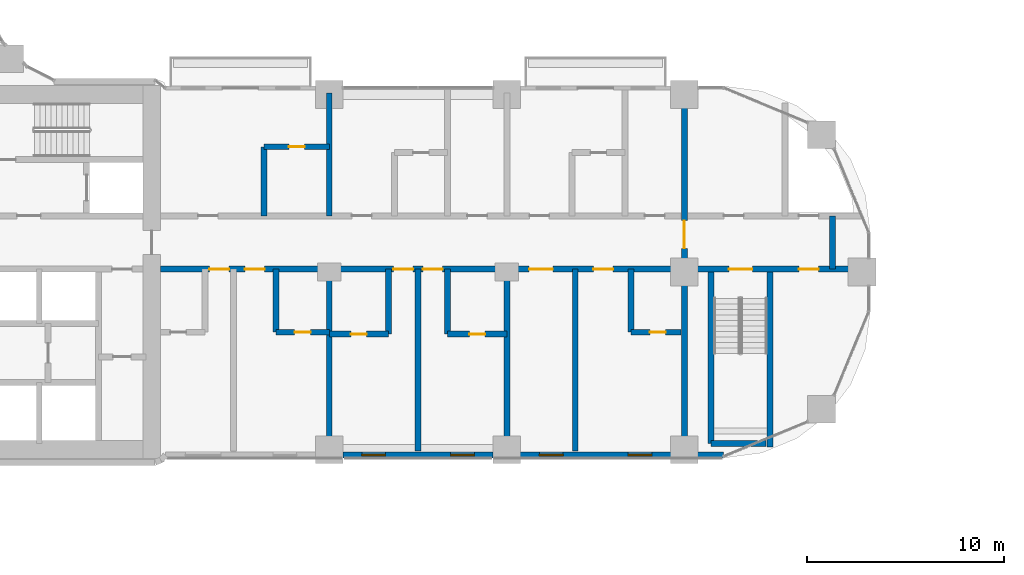
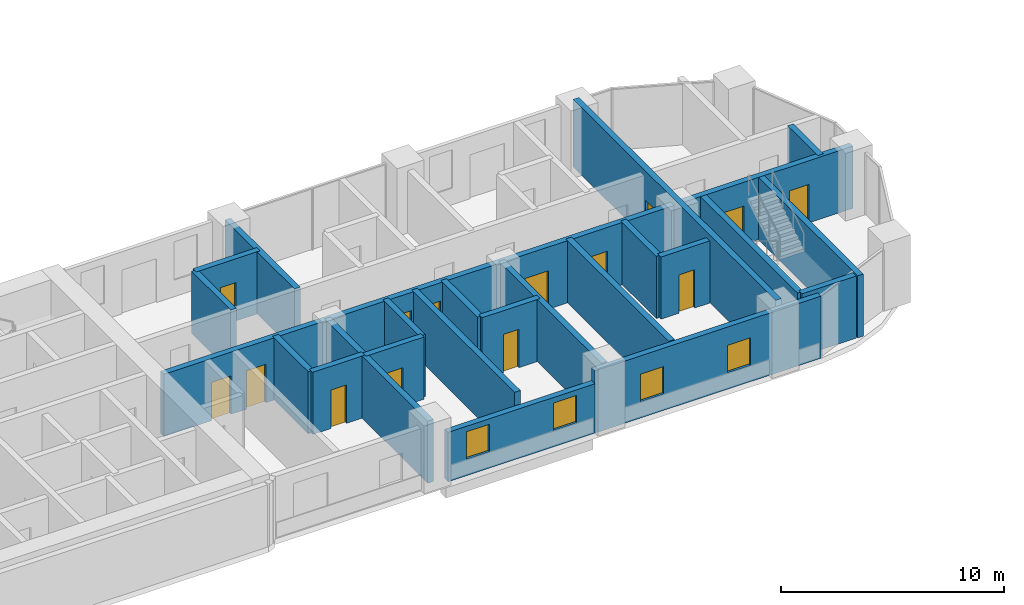
# One storey, part 16 of 30: 24 walls, 14 doors, 4 windows, 18 openings.
"""IFC4 building model written with IfcOpenShell, lengths in metres."""

import ifcopenshell
import ifcopenshell.guid

model = None  # the IFC model being written
_history = None  # IfcOwnerHistory: only IFC2X3 demands one
_inside = {}  # id of a spatial element -> (the spatial element, [elements in it])
_under = {}  # id of a project, library or spatial element -> (it, [spatial elements below it])
_declared = {}  # id of a project -> (the project, [libraries it declares])
_typed = {}  # id of a type object -> (the type object, [elements of that type])
_made_of = {}  # id of a material, layer set ... -> (it, [elements and type objects made of it])


def new_model(schema):
    """Start an empty IFC model of exactly this schema.

    Asked for "IFC4X3", IfcOpenShell would pick the latest addendum, in which some entities
    have other attributes; the version numbers below select the first issue.
    IFC2X3 requires an IfcOwnerHistory on every rooted entity: one is made here for all.
    """
    global model, _history
    if schema == "IFC4X3":
        model = ifcopenshell.file(schema_version=(4, 3, 0, 0))
    else:
        model = ifcopenshell.file(schema=schema)
    _inside.clear()
    _under.clear()
    _declared.clear()
    _typed.clear()
    _made_of.clear()
    _history = None
    if model.schema == "IFC2X3":
        org = make("IfcOrganization", Name="unknown")
        user = make(
            "IfcPersonAndOrganization",
            ThePerson=make("IfcPerson", FamilyName="unknown"),
            TheOrganization=org,
        )
        app = make(
            "IfcApplication",
            ApplicationDeveloper=org,
            Version="unknown",
            ApplicationFullName="unknown",
            ApplicationIdentifier="unknown",
        )
        _history = make(
            "IfcOwnerHistory",
            OwningUser=user,
            OwningApplication=app,
            ChangeAction="ADDED",
            CreationDate=0,
        )
    return model


def make(cls, **values):
    """One entity of the class cls with the attributes given. An attribute that is None is left unset."""
    return model.create_entity(
        cls, **{name: value for name, value in values.items() if value is not None}
    )


def rooted(cls, **values):
    """An entity with a GlobalId (a new one), such as an element, a storey or a relation."""
    return make(cls, GlobalId=ifcopenshell.guid.new(), OwnerHistory=_history, **values)


def si_unit(unit_type, name, prefix=None):
    """IfcSIUnit, for example si_unit("LENGTHUNIT", "METRE", prefix="MILLI")."""
    return make("IfcSIUnit", UnitType=unit_type, Prefix=prefix, Name=name)


def assignment(units):
    """IfcUnitAssignment: the units of a project."""
    return None if units is None else make("IfcUnitAssignment", Units=units)


def point(xyz):
    """IfcCartesianPoint."""
    return None if xyz is None else make("IfcCartesianPoint", Coordinates=xyz)


def direction(xyz):
    """IfcDirection."""
    return None if xyz is None else make("IfcDirection", DirectionRatios=xyz)


def frame(location, z_axis=None, x_axis=None):
    """IfcAxis2Placement3D, a coordinate frame: its origin and axes. An axis left out is left unset."""
    return make(
        "IfcAxis2Placement3D",
        Location=point(location),
        Axis=direction(z_axis),
        RefDirection=direction(x_axis),
    )


def frame_2d(location, x_axis=None):
    """IfcAxis2Placement2D, a coordinate frame in the plane: its origin and x axis."""
    return make(
        "IfcAxis2Placement2D", Location=point(location), RefDirection=direction(x_axis)
    )


def origin():
    """The frame at (0, 0, 0) with its axes left unset."""
    return frame((0.0, 0.0, 0.0))


def place(relative_to, where):
    """IfcLocalPlacement: puts the frame where relative to a parent placement (None: the world)."""
    return make(
        "IfcLocalPlacement", PlacementRelTo=relative_to, RelativePlacement=where
    )


def context(
    kind, dimensions, precision=None, world=None, true_north=None, identifier=None
):
    """IfcGeometricRepresentationContext, for example the 3D "Model" context."""
    return make(
        "IfcGeometricRepresentationContext",
        ContextIdentifier=identifier,
        ContextType=kind,
        CoordinateSpaceDimension=dimensions,
        Precision=precision,
        WorldCoordinateSystem=world,
        TrueNorth=true_north,
    )


def subcontext(parent, identifier, kind, view, scale=None):
    """IfcGeometricRepresentationSubContext, for example "Body" below "Model"."""
    return make(
        "IfcGeometricRepresentationSubContext",
        ContextIdentifier=identifier,
        ContextType=kind,
        ParentContext=parent,
        TargetScale=scale,
        TargetView=view,
    )


def project(units=None, contexts=None):
    """IfcProject with its units and contexts."""
    return rooted(
        "IfcProject",
        Name="project",
        RepresentationContexts=contexts,
        UnitsInContext=assignment(units),
    )


def spatial(cls, under=None, at=None, **own):
    """A site, building, storey or space (cls), placed at a placement, below another one or the project."""
    s = rooted(cls, ObjectPlacement=at, **own)
    if under is not None:
        _under.setdefault(under.id(), (under, []))[1].append(s)
    return s


def profile(cls, at=None, kind="AREA", **sizes):
    """A parametric profile (cls). Its sizes go by their IFC names, for example OverallWidth=200.0."""
    return make(cls, ProfileType=kind, Position=at, **sizes)


def rectangle(**sizes):
    """IfcRectangleProfileDef."""
    return profile("IfcRectangleProfileDef", **sizes)


def extrude(swept, where, along, depth):
    """IfcExtrudedAreaSolid: the profile swept, set in the frame where, extruded along a direction by depth."""
    return make(
        "IfcExtrudedAreaSolid",
        SweptArea=swept,
        Position=where,
        ExtrudedDirection=direction(along),
        Depth=depth,
    )


def shape(context_of_items, identifier, shape_type, items):
    """IfcShapeRepresentation: the items that make up one representation, for example the "Body"."""
    return make(
        "IfcShapeRepresentation",
        ContextOfItems=context_of_items,
        RepresentationIdentifier=identifier,
        RepresentationType=shape_type,
        Items=items,
    )


def material(Name=None, Category=None):
    """IfcMaterial."""
    return make("IfcMaterial", Name=Name, Category=Category)


def layer(
    of_material, thickness, ventilated=None, Name=None, Category=None, Priority=None
):
    """IfcMaterialLayer: one layer of a wall or slab, of a material (None: an air gap)."""
    return make(
        "IfcMaterialLayer",
        Material=of_material,
        LayerThickness=thickness,
        IsVentilated=ventilated,
        Name=Name,
        Category=Category,
        Priority=Priority,
    )


def layer_set(layers, Name=None):
    """IfcMaterialLayerSet."""
    return make("IfcMaterialLayerSet", MaterialLayers=layers, LayerSetName=Name)


def made_of(thing, what):
    """Note that an element or type object is made of a material, layer set ...; save() writes the relation."""
    if what is not None:
        _made_of.setdefault(what.id(), (what, []))[1].append(thing)
    return thing


def type_object(cls, material=None, **own):
    """A type object (cls), such as IfcWallType, which elements share."""
    return made_of(rooted(cls, **own), material)


def element(
    cls,
    number,
    at=None,
    inside=None,
    cuts=None,
    type_object=None,
    material=None,
    context=None,
    identifier="Body",
    shape_type=None,
    held_by="IfcProductDefinitionShape",
    body=None,
    shapes=None,
    **own,
):
    """One element of the class cls, such as IfcWall. Its Tag is "e" and its number.

    at: its placement. inside: the storey or other place that contains it. cuts: it is an
    opening in that element (IfcRelVoidsElement). A single representation is given by context,
    identifier, shape_type and body (its items); several are given by shapes. held_by: the class
    of the entity that holds the representations. save() writes the other relations.
    """
    e = rooted(cls, Tag="e%d" % number, ObjectPlacement=at, **own)
    if body is not None:
        shapes = [shape(context, identifier, shape_type, body)]
    if shapes is not None:
        e.Representation = make(held_by, Representations=shapes)
    if inside is not None:
        _inside.setdefault(inside.id(), (inside, []))[1].append(e)
    if cuts is not None:
        rooted(
            "IfcRelVoidsElement", RelatingBuildingElement=cuts, RelatedOpeningElement=e
        )
    if type_object is not None:
        _typed.setdefault(type_object.id(), (type_object, []))[1].append(e)
    return made_of(e, material)


def fill(opening, filler):
    """IfcRelFillsElement: the door or window that sits in an opening."""
    return rooted(
        "IfcRelFillsElement",
        RelatingOpeningElement=opening,
        RelatedBuildingElement=filler,
    )


def aggregate(whole, parts):
    """IfcRelAggregates: a whole, such as a stair, and the parts it consists of."""
    return rooted("IfcRelAggregates", RelatingObject=whole, RelatedObjects=parts)


def save(model, path):
    """Write the relations noted so far, then the file.

    IfcRelAggregates (storeys below a building ...), IfcRelContainedInSpatialStructure (elements
    in a storey), IfcRelDefinesByType, IfcRelAssociatesMaterial and IfcRelDeclares: one each for
    every whole, place, type object, material and project.
    """
    for whole, parts in _under.values():
        aggregate(whole, parts)
    for where, things in _inside.values():
        rooted(
            "IfcRelContainedInSpatialStructure",
            RelatedElements=things,
            RelatingStructure=where,
        )
    for kind, things in _typed.values():
        rooted("IfcRelDefinesByType", RelatedObjects=things, RelatingType=kind)
    for what, things in _made_of.values():
        rooted("IfcRelAssociatesMaterial", RelatedObjects=things, RelatingMaterial=what)
    for by, libraries in _declared.values():
        rooted("IfcRelDeclares", RelatingContext=by, RelatedDefinitions=libraries)
    model.write(path)


model = new_model("IFC4")

# Units and contexts
model_context = context("Model", 3, precision=1e-05, world=origin(), true_north=direction((0.0, 1.0)))
body_context = subcontext(model_context, "Body", "Model", "MODEL_VIEW")
ifc_project = project(units=[si_unit("LENGTHUNIT", "METRE"), si_unit("AREAUNIT", "SQUARE_METRE"), si_unit("VOLUMEUNIT", "CUBIC_METRE"), si_unit("PLANEANGLEUNIT", "RADIAN"), si_unit("MASSUNIT", "GRAM", prefix="KILO")], contexts=[model_context])

# Site, building, storey
site_placement = place(None, origin())
site = spatial("IfcSite", under=ifc_project, at=site_placement, CompositionType="ELEMENT")
building_placement = place(site_placement, origin())
building = spatial("IfcBuilding", under=site, at=building_placement, Name="Ogive Portal Towers", CompositionType="ELEMENT")
storey_placement = place(building_placement, frame((0.0, 0.0, 37.199951171875)))
storey = spatial("IfcBuildingStorey", under=building, at=storey_placement, Name="L07", CompositionType="ELEMENT", Elevation=37.199951171875)

# Wall, openings, windows
ifc_material_1 = material(Name="Limestone cladding on lightweight block wall", Category="masonry")
ifc_layer_1 = layer(ifc_material_1, 0.300048828125)
ifc_layer_set_1 = layer_set([ifc_layer_1], Name="EXTERNAL WALL 300 STONE")
wall_type_1 = type_object("IfcWallType", Name="EXTERNAL WALL 300 STONE", PredefinedType="SOLIDWALL", material=ifc_layer_set_1)
wall_1_placement = place(storey_placement, frame((68.199951171875, 21.22509765625, 0.0), z_axis=(0.0, 0.0, 1.0), x_axis=(1.0, 0.0, 0.0)))
wall_1 = element("IfcWall", 1, at=wall_1_placement, inside=storey, type_object=wall_type_1, Name="A:L07:f21:r0:wall1", PredefinedType="SOLIDWALL", context=body_context, shape_type="SweptSolid", body=[
    extrude(rectangle(XDim=7.60009765625, YDim=0.300048828125, at=frame_2d((3.800048828125, 0.0))), origin(), (0.0, 0.0, 1.0), 2.699951171875),
])
opening_1_placement = place(wall_1_placement, frame((0.949951171875, 0.0, 0.89990234375)))
opening_1 = element("IfcOpeningElement", 2, at=opening_1_placement, cuts=wall_1, Name="Opening WN9", PredefinedType="OPENING", context=body_context, shape_type="SweptSolid", body=[
    extrude(rectangle(XDim=1.199951171875, YDim=1.5, at=frame_2d((0.60009765625, 0.75))), frame((0.0, 0.16015625, 0.0), z_axis=(0.0, -1.0, 0.0), x_axis=(1.0, 0.0, 0.0)), (0.0, 0.0, 1.0), 0.320068359375),
])
opening_2_placement = place(wall_1_placement, frame((5.449951171875, 0.0, 0.89990234375)))
opening_2 = element("IfcOpeningElement", 3, at=opening_2_placement, cuts=wall_1, Name="Opening WN9", PredefinedType="OPENING", context=body_context, shape_type="SweptSolid", body=[
    extrude(rectangle(XDim=1.199951171875, YDim=1.5, at=frame_2d((0.60009765625, 0.75))), frame((0.0, 0.16015625, 0.0), z_axis=(0.0, -1.0, 0.0), x_axis=(1.0, 0.0, 0.0)), (0.0, 0.0, 1.0), 0.320068359375),
])
ifc_material_2 = material(Name="Glass, clear low-iron insulated glazing", Category="glass")
window_type = type_object("IfcWindowType", Name="WINDOW HOTEL CASEMENT 1200x1500", PartitioningType="DOUBLE_PANEL_VERTICAL", PredefinedType="WINDOW", material=ifc_material_2)
window_1_placement = place(opening_1_placement, origin())
window_1 = element("IfcWindow", 4, at=window_1_placement, inside=storey, type_object=window_type, Name="A:L07:f21:r0:w2", OverallHeight=1.5, OverallWidth=1.199951171875, PartitioningType="SINGLE_PANEL", PredefinedType="WINDOW", context=body_context, shape_type="SweptSolid", body=[
    extrude(rectangle(XDim=1.199951171875, YDim=1.5, at=frame_2d((0.60009765625, 0.75))), frame((0.0, 0.030029296875, 0.0), z_axis=(0.0, -1.0, 0.0), x_axis=(1.0, 0.0, 0.0)), (0.0, 0.0, 1.0), 0.06005859375),
])
fill(opening_1, window_1)
window_2_placement = place(opening_2_placement, origin())
window_2 = element("IfcWindow", 5, at=window_2_placement, inside=storey, type_object=window_type, Name="A:L07:f21:r0:w3", OverallHeight=1.5, OverallWidth=1.199951171875, PartitioningType="SINGLE_PANEL", PredefinedType="WINDOW", context=body_context, shape_type="SweptSolid", body=[
    extrude(rectangle(XDim=1.199951171875, YDim=1.5, at=frame_2d((0.60009765625, 0.75))), frame((0.0, 0.030029296875, 0.0), z_axis=(0.0, -1.0, 0.0), x_axis=(1.0, 0.0, 0.0)), (0.0, 0.0, 1.0), 0.06005859375),
])
fill(opening_2, window_2)

wall_2_placement = place(storey_placement, frame((75.800048828125, 21.22509765625, 0.0), z_axis=(0.0, 0.0, 1.0), x_axis=(1.0, 0.0, 0.0)))
wall_2 = element("IfcWall", 6, at=wall_2_placement, inside=storey, type_object=wall_type_1, Name="A:L07:f21:r0:wall2", PredefinedType="SOLIDWALL", context=body_context, shape_type="SweptSolid", body=[
    extrude(rectangle(XDim=11.68408203125, YDim=0.300048828125, at=frame_2d((5.842041015625, 0.0))), origin(), (0.0, 0.0, 1.0), 3.400146484375),
])
opening_3_placement = place(wall_2_placement, frame((2.35009765625, 0.0, 0.89990234375)))
opening_3 = element("IfcOpeningElement", 7, at=opening_3_placement, cuts=wall_2, Name="Opening WN9", PredefinedType="OPENING", context=body_context, shape_type="SweptSolid", body=[
    extrude(rectangle(XDim=1.199951171875, YDim=1.5, at=frame_2d((0.60009765625, 0.75))), frame((0.0, 0.16015625, 0.0), z_axis=(0.0, -1.0, 0.0), x_axis=(1.0, 0.0, 0.0)), (0.0, 0.0, 1.0), 0.320068359375),
])
opening_4_placement = place(wall_2_placement, frame((6.85009765625, 0.0, 0.89990234375)))
opening_4 = element("IfcOpeningElement", 8, at=opening_4_placement, cuts=wall_2, Name="Opening WN9", PredefinedType="OPENING", context=body_context, shape_type="SweptSolid", body=[
    extrude(rectangle(XDim=1.199951171875, YDim=1.5, at=frame_2d((0.60009765625, 0.75))), frame((0.0, 0.16015625, 0.0), z_axis=(0.0, -1.0, 0.0), x_axis=(1.0, 0.0, 0.0)), (0.0, 0.0, 1.0), 0.320068359375),
])
window_3_placement = place(opening_3_placement, origin())
window_3 = element("IfcWindow", 9, at=window_3_placement, inside=storey, type_object=window_type, Name="A:L07:f21:r0:w4", OverallHeight=1.5, OverallWidth=1.199951171875, PartitioningType="SINGLE_PANEL", PredefinedType="WINDOW", context=body_context, shape_type="SweptSolid", body=[
    extrude(rectangle(XDim=1.199951171875, YDim=1.5, at=frame_2d((0.60009765625, 0.75))), frame((0.0, 0.030029296875, 0.0), z_axis=(0.0, -1.0, 0.0), x_axis=(1.0, 0.0, 0.0)), (0.0, 0.0, 1.0), 0.06005859375),
])
fill(opening_3, window_3)
window_4_placement = place(opening_4_placement, origin())
window_4 = element("IfcWindow", 10, at=window_4_placement, inside=storey, type_object=window_type, Name="A:L07:f21:r0:w5", OverallHeight=1.5, OverallWidth=1.199951171875, PartitioningType="SINGLE_PANEL", PredefinedType="WINDOW", context=body_context, shape_type="SweptSolid", body=[
    extrude(rectangle(XDim=1.199951171875, YDim=1.5, at=frame_2d((0.60009765625, 0.75))), frame((0.0, 0.030029296875, 0.0), z_axis=(0.0, -1.0, 0.0), x_axis=(1.0, 0.0, 0.0)), (0.0, 0.0, 1.0), 0.06005859375),
])
fill(opening_4, window_4)

# Wall, opening, door
ifc_material_3 = material(Name="Concrete C60/75", Category="concrete")
ifc_layer_2 = layer(ifc_material_3, 0.300048828125)
ifc_layer_set_2 = layer_set([ifc_layer_2], Name="REVEAL WALL 300 C60")
wall_type_2 = type_object("IfcWallType", Name="REVEAL WALL 300 C60", PredefinedType="SHEAR", material=ifc_layer_set_2)
wall_3_placement = place(storey_placement, frame((85.5, 21.425048828125, 0.0), z_axis=(0.0, 0.0, 1.0), x_axis=(0.0, 1.0, 0.0)))
wall_3 = element("IfcWall", 11, at=wall_3_placement, inside=storey, type_object=wall_type_2, Name="Portal reveal wall L07", PredefinedType="SHEAR", context=body_context, shape_type="SweptSolid", body=[
    extrude(rectangle(XDim=18.14990234375, YDim=0.300048828125, at=frame_2d((9.074951171875, 0.0))), origin(), (0.0, 0.0, 1.0), 3.699951171875),
])
opening_5_placement = place(wall_3_placement, frame((10.27490234375, 0.0, 0.0)))
opening_5 = element("IfcOpeningElement", 12, at=opening_5_placement, cuts=wall_3, Name="Opening D01-072", PredefinedType="OPENING", context=body_context, shape_type="SweptSolid", body=[
    extrude(rectangle(XDim=1.39990234375, YDim=2.10009765625, at=frame_2d((0.699951171875, 1.050048828125))), frame((0.0, 0.16015625, 0.0), z_axis=(0.0, -1.0, 0.0), x_axis=(1.0, 0.0, 0.0)), (0.0, 0.0, 1.0), 0.320068359375),
])
ifc_material_4 = material(Name="Steel fire door", Category="steel")
door_type_1 = type_object("IfcDoorType", Name="DT-STAIR-1400x2100-FD90S", OperationType="SINGLE_SWING_LEFT", PredefinedType="DOOR", material=ifc_material_4)
door_1_placement = place(opening_5_placement, origin())
door_1 = element("IfcDoor", 13, at=door_1_placement, inside=storey, type_object=door_type_1, Name="Door D01-072", OperationType="SINGLE_SWING_RIGHT", OverallHeight=2.10009765625, OverallWidth=1.39990234375, PredefinedType="DOOR", context=body_context, shape_type="SweptSolid", body=[
    extrude(rectangle(XDim=1.39990234375, YDim=2.10009765625, at=frame_2d((0.699951171875, 1.050048828125))), frame((0.0, 0.02490234375, 0.0), z_axis=(0.0, -1.0, 0.0), x_axis=(1.0, 0.0, 0.0)), (0.0, 0.0, 1.0), 0.050048828125),
])
fill(opening_5, door_1)

# Wall
ifc_material_5 = material(Name="Concrete C50/60", Category="concrete")
ifc_layer_3 = layer(ifc_material_5, 0.300048828125)
ifc_layer_set_3 = layer_set([ifc_layer_3], Name="STAIR WALL 300 C50")
wall_type_3 = type_object("IfcWallType", Name="STAIR WALL 300 C50", PredefinedType="SHEAR", material=ifc_layer_set_3)
wall_4_placement = place(storey_placement, frame((86.85009765625, 21.800048828125, 0.0), z_axis=(0.0, 0.0, 1.0), x_axis=(1.0, 0.0, 0.0)))
element("IfcWall", 14, at=wall_4_placement, inside=storey, type_object=wall_type_3, Name="Stair wall ST-A4 L07", PredefinedType="SHEAR", context=body_context, shape_type="SweptSolid", body=[
    extrude(rectangle(XDim=2.796875, YDim=0.300048828125, at=frame_2d((1.3984375, 0.0))), origin(), (0.0, 0.0, 1.0), 3.400146484375),
])

# Wall, openings, doors
wall_5_placement = place(storey_placement, frame((85.669921875, 30.64990234375, 0.0), z_axis=(0.0, 0.0, 1.0), x_axis=(1.0, 0.0, 0.0)))
wall_5 = element("IfcWall", 15, at=wall_5_placement, inside=storey, type_object=wall_type_3, Name="Stair wall ST-A4 L07", PredefinedType="SHEAR", context=body_context, shape_type="SweptSolid", body=[
    extrude(rectangle(XDim=8.905029296875, YDim=0.300048828125, at=frame_2d((4.45263671875, 0.0))), origin(), (0.0, 0.0, 1.0), 3.400146484375),
])
opening_6_placement = place(wall_5_placement, frame((2.080078125, 0.0, 0.0)))
opening_6 = element("IfcOpeningElement", 16, at=opening_6_placement, cuts=wall_5, Name="Opening D01-067", PredefinedType="OPENING", context=body_context, shape_type="SweptSolid", body=[
    extrude(rectangle(XDim=1.199951171875, YDim=2.10009765625, at=frame_2d((0.60009765625, 1.050048828125))), frame((0.0, 0.16015625, 0.0), z_axis=(0.0, -1.0, 0.0), x_axis=(1.0, 0.0, 0.0)), (0.0, 0.0, 1.0), 0.320068359375),
])
opening_7_placement = place(wall_5_placement, frame((5.6298828125, 0.0, 0.0)))
opening_7 = element("IfcOpeningElement", 17, at=opening_7_placement, cuts=wall_5, Name="Opening D01-070", PredefinedType="OPENING", context=body_context, shape_type="SweptSolid", body=[
    extrude(rectangle(XDim=1.0, YDim=2.10009765625, at=frame_2d((0.5, 1.050048828125))), frame((0.0, 0.16015625, 0.0), z_axis=(0.0, -1.0, 0.0), x_axis=(1.0, 0.0, 0.0)), (0.0, 0.0, 1.0), 0.320068359375),
])
door_type_2 = type_object("IfcDoorType", Name="DT-SERVICE-1000x2100-FD90S", OperationType="SINGLE_SWING_LEFT", PredefinedType="DOOR", material=ifc_material_4)
door_2_placement = place(opening_7_placement, origin())
door_2 = element("IfcDoor", 18, at=door_2_placement, inside=storey, type_object=door_type_2, Name="Door D01-070", OperationType="SINGLE_SWING_LEFT", OverallHeight=2.10009765625, OverallWidth=1.0, PredefinedType="DOOR", context=body_context, shape_type="SweptSolid", body=[
    extrude(rectangle(XDim=1.0, YDim=2.10009765625, at=frame_2d((0.5, 1.050048828125))), frame((0.0, 0.02490234375, 0.0), z_axis=(0.0, -1.0, 0.0), x_axis=(1.0, 0.0, 0.0)), (0.0, 0.0, 1.0), 0.050048828125),
])
fill(opening_7, door_2)
door_type_3 = type_object("IfcDoorType", Name="DT-STAIR-1200x2100-FD90S", OperationType="SINGLE_SWING_LEFT", PredefinedType="DOOR", material=ifc_material_4)
door_3_placement = place(opening_6_placement, origin())
door_3 = element("IfcDoor", 19, at=door_3_placement, inside=storey, type_object=door_type_3, Name="Door D01-067", OperationType="SINGLE_SWING_LEFT", OverallHeight=2.10009765625, OverallWidth=1.199951171875, PredefinedType="DOOR", context=body_context, shape_type="SweptSolid", body=[
    extrude(rectangle(XDim=1.199951171875, YDim=2.10009765625, at=frame_2d((0.60009765625, 1.050048828125))), frame((0.0, 0.02490234375, 0.0), z_axis=(0.0, -1.0, 0.0), x_axis=(1.0, 0.0, 0.0)), (0.0, 0.0, 1.0), 0.050048828125),
])
fill(opening_6, door_3)

# Walls
wall_6_placement = place(storey_placement, frame((86.85009765625, 21.800048828125, 0.0), z_axis=(0.0, 0.0, 1.0), x_axis=(0.0, 1.0, 0.0)))
element("IfcWall", 20, at=wall_6_placement, inside=storey, type_object=wall_type_3, Name="Stair wall ST-A4 L07", PredefinedType="SHEAR", context=body_context, shape_type="SweptSolid", body=[
    extrude(rectangle(XDim=8.849853515625, YDim=0.300048828125, at=frame_2d((4.4248046875, 0.0))), origin(), (0.0, 0.0, 1.0), 3.400146484375),
])
wall_7_placement = place(storey_placement, frame((89.85009765625, 21.6240234375, 0.0), z_axis=(0.0, 0.0, 1.0), x_axis=(0.0, 1.0, 0.0)))
element("IfcWall", 21, at=wall_7_placement, inside=storey, type_object=wall_type_3, Name="Stair wall ST-A4 L07", PredefinedType="SHEAR", context=body_context, shape_type="SweptSolid", body=[
    extrude(rectangle(XDim=9.02587890625, YDim=0.300048828125, at=frame_2d((4.512939453125, 0.0))), origin(), (0.0, 0.0, 1.0), 3.400146484375),
])

# Wall, openings, doors
ifc_material_6 = material(Name="Gypsum board partition on steel studs", Category="steel")
ifc_layer_4 = layer(ifc_material_6, 0.300048828125)
ifc_layer_set_4 = layer_set([ifc_layer_4], Name="WT-PART-300-EI 120")
wall_type_4 = type_object("IfcWallType", Name="WT-PART-300-EI 120", PredefinedType="PARTITIONING", material=ifc_layer_set_4)
wall_8_placement = place(storey_placement, frame((58.949951171875, 30.64990234375, 0.0), z_axis=(0.0, 0.0, 1.0), x_axis=(1.0, 0.0, 0.0)))
wall_8 = element("IfcWall", 22, at=wall_8_placement, inside=storey, type_object=wall_type_4, Name="Wall L07:w007", PredefinedType="PARTITIONING", context=body_context, shape_type="SweptSolid", body=[
    extrude(rectangle(XDim=26.380126953125, YDim=0.300048828125, at=frame_2d((13.18994140625, 0.0))), origin(), (0.0, 0.0, 1.0), 3.400146484375),
])
opening_8_placement = place(wall_8_placement, frame((2.469970703125, 0.0, 0.0)))
opening_8 = element("IfcOpeningElement", 23, at=opening_8_placement, cuts=wall_8, Name="Opening D01-030", PredefinedType="OPENING", context=body_context, shape_type="SweptSolid", body=[
    extrude(rectangle(XDim=1.0, YDim=2.10009765625, at=frame_2d((0.5, 1.050048828125))), frame((0.0, 0.16015625, 0.0), z_axis=(0.0, -1.0, 0.0), x_axis=(1.0, 0.0, 0.0)), (0.0, 0.0, 1.0), 0.320068359375),
])
opening_9_placement = place(wall_8_placement, frame((4.27001953125, 0.0, 0.0)))
opening_9 = element("IfcOpeningElement", 24, at=opening_9_placement, cuts=wall_8, Name="Opening D01-032", PredefinedType="OPENING", context=body_context, shape_type="SweptSolid", body=[
    extrude(rectangle(XDim=1.0, YDim=2.10009765625, at=frame_2d((0.5, 1.050048828125))), frame((0.0, 0.16015625, 0.0), z_axis=(0.0, -1.0, 0.0), x_axis=(1.0, 0.0, 0.0)), (0.0, 0.0, 1.0), 0.320068359375),
])
opening_10_placement = place(wall_8_placement, frame((11.800048828125, 0.0, 0.0)))
opening_10 = element("IfcOpeningElement", 25, at=opening_10_placement, cuts=wall_8, Name="Opening D01-037", PredefinedType="OPENING", context=body_context, shape_type="SweptSolid", body=[
    extrude(rectangle(XDim=1.0, YDim=2.39990234375, at=frame_2d((0.5, 1.199951171875))), frame((0.0, 0.16015625, 0.0), z_axis=(0.0, -1.0, 0.0), x_axis=(1.0, 0.0, 0.0)), (0.0, 0.0, 1.0), 0.320068359375),
])
opening_11_placement = place(wall_8_placement, frame((13.300048828125, 0.0, 0.0)))
opening_11 = element("IfcOpeningElement", 26, at=opening_11_placement, cuts=wall_8, Name="Opening D01-039", PredefinedType="OPENING", context=body_context, shape_type="SweptSolid", body=[
    extrude(rectangle(XDim=1.0, YDim=2.39990234375, at=frame_2d((0.5, 1.199951171875))), frame((0.0, 0.16015625, 0.0), z_axis=(0.0, -1.0, 0.0), x_axis=(1.0, 0.0, 0.0)), (0.0, 0.0, 1.0), 0.320068359375),
])
opening_12_placement = place(wall_8_placement, frame((18.68505859375, 0.0, 0.0)))
opening_12 = element("IfcOpeningElement", 27, at=opening_12_placement, cuts=wall_8, Name="Opening D01-043", PredefinedType="OPENING", context=body_context, shape_type="SweptSolid", body=[
    extrude(rectangle(XDim=1.199951171875, YDim=2.10009765625, at=frame_2d((0.60009765625, 1.050048828125))), frame((0.0, 0.16015625, 0.0), z_axis=(0.0, -1.0, 0.0), x_axis=(1.0, 0.0, 0.0)), (0.0, 0.0, 1.0), 0.320068359375),
])
opening_13_placement = place(wall_8_placement, frame((21.93505859375, 0.0, 0.0)))
opening_13 = element("IfcOpeningElement", 28, at=opening_13_placement, cuts=wall_8, Name="Opening D01-045", PredefinedType="OPENING", context=body_context, shape_type="SweptSolid", body=[
    extrude(rectangle(XDim=1.0, YDim=2.10009765625, at=frame_2d((0.5, 1.050048828125))), frame((0.0, 0.16015625, 0.0), z_axis=(0.0, -1.0, 0.0), x_axis=(1.0, 0.0, 0.0)), (0.0, 0.0, 1.0), 0.320068359375),
])
door_type_4 = type_object("IfcDoorType", Name="DT-ENTRY-1000x2100-FD90S", OperationType="SINGLE_SWING_LEFT", PredefinedType="DOOR", material=ifc_material_4)
door_4_placement = place(opening_8_placement, origin())
door_4 = element("IfcDoor", 29, at=door_4_placement, inside=storey, type_object=door_type_4, Name="Door D01-030", OperationType="SINGLE_SWING_RIGHT", OverallHeight=2.10009765625, OverallWidth=1.0, PredefinedType="DOOR", context=body_context, shape_type="SweptSolid", body=[
    extrude(rectangle(XDim=1.0, YDim=2.10009765625, at=frame_2d((0.5, 1.050048828125))), frame((0.0, 0.02490234375, 0.0), z_axis=(0.0, -1.0, 0.0), x_axis=(1.0, 0.0, 0.0)), (0.0, 0.0, 1.0), 0.050048828125),
])
fill(opening_8, door_4)
door_5_placement = place(opening_9_placement, origin())
door_5 = element("IfcDoor", 30, at=door_5_placement, inside=storey, type_object=door_type_4, Name="Door D01-032", OperationType="SINGLE_SWING_LEFT", OverallHeight=2.10009765625, OverallWidth=1.0, PredefinedType="DOOR", context=body_context, shape_type="SweptSolid", body=[
    extrude(rectangle(XDim=1.0, YDim=2.10009765625, at=frame_2d((0.5, 1.050048828125))), frame((0.0, 0.02490234375, 0.0), z_axis=(0.0, -1.0, 0.0), x_axis=(1.0, 0.0, 0.0)), (0.0, 0.0, 1.0), 0.050048828125),
])
fill(opening_9, door_5)
door_6_placement = place(opening_13_placement, origin())
door_6 = element("IfcDoor", 31, at=door_6_placement, inside=storey, type_object=door_type_4, Name="Door D01-045", OperationType="SINGLE_SWING_RIGHT", OverallHeight=2.10009765625, OverallWidth=1.0, PredefinedType="DOOR", context=body_context, shape_type="SweptSolid", body=[
    extrude(rectangle(XDim=1.0, YDim=2.10009765625, at=frame_2d((0.5, 1.050048828125))), frame((0.0, 0.02490234375, 0.0), z_axis=(0.0, -1.0, 0.0), x_axis=(1.0, 0.0, 0.0)), (0.0, 0.0, 1.0), 0.050048828125),
])
fill(opening_13, door_6)
door_type_5 = type_object("IfcDoorType", Name="DT-ENTRY-1000x2400-FD90S", OperationType="SINGLE_SWING_LEFT", PredefinedType="DOOR", material=ifc_material_4)
door_7_placement = place(opening_10_placement, origin())
door_7 = element("IfcDoor", 32, at=door_7_placement, inside=storey, type_object=door_type_5, Name="Door D01-037", OperationType="SINGLE_SWING_LEFT", OverallHeight=2.39990234375, OverallWidth=1.0, PredefinedType="DOOR", context=body_context, shape_type="SweptSolid", body=[
    extrude(rectangle(XDim=1.0, YDim=2.39990234375, at=frame_2d((0.5, 1.199951171875))), frame((0.0, 0.02490234375, 0.0), z_axis=(0.0, -1.0, 0.0), x_axis=(1.0, 0.0, 0.0)), (0.0, 0.0, 1.0), 0.050048828125),
])
fill(opening_10, door_7)
door_8_placement = place(opening_11_placement, origin())
door_8 = element("IfcDoor", 33, at=door_8_placement, inside=storey, type_object=door_type_5, Name="Door D01-039", OperationType="SINGLE_SWING_RIGHT", OverallHeight=2.39990234375, OverallWidth=1.0, PredefinedType="DOOR", context=body_context, shape_type="SweptSolid", body=[
    extrude(rectangle(XDim=1.0, YDim=2.39990234375, at=frame_2d((0.5, 1.199951171875))), frame((0.0, 0.02490234375, 0.0), z_axis=(0.0, -1.0, 0.0), x_axis=(1.0, 0.0, 0.0)), (0.0, 0.0, 1.0), 0.050048828125),
])
fill(opening_11, door_8)
door_type_6 = type_object("IfcDoorType", Name="DT-ENTRY-1200x2100-FD90S", OperationType="SINGLE_SWING_LEFT", PredefinedType="DOOR", material=ifc_material_4)
door_9_placement = place(opening_12_placement, origin())
door_9 = element("IfcDoor", 34, at=door_9_placement, inside=storey, type_object=door_type_6, Name="Door D01-043", OperationType="SINGLE_SWING_LEFT", OverallHeight=2.10009765625, OverallWidth=1.199951171875, PredefinedType="DOOR", context=body_context, shape_type="SweptSolid", body=[
    extrude(rectangle(XDim=1.199951171875, YDim=2.10009765625, at=frame_2d((0.60009765625, 1.050048828125))), frame((0.0, 0.02490234375, 0.0), z_axis=(0.0, -1.0, 0.0), x_axis=(1.0, 0.0, 0.0)), (0.0, 0.0, 1.0), 0.050048828125),
])
fill(opening_12, door_9)

# Wall
wall_9_placement = place(storey_placement, frame((93.0, 30.64990234375, 0.0), z_axis=(0.0, 0.0, 1.0), x_axis=(0.0, 1.0, 0.0)))
element("IfcWall", 35, at=wall_9_placement, inside=storey, type_object=wall_type_4, Name="Wall L07:w068", PredefinedType="PARTITIONING", context=body_context, shape_type="SweptSolid", body=[
    extrude(rectangle(XDim=2.7001953125, YDim=0.300048828125, at=frame_2d((1.35009765625, 0.0))), origin(), (0.0, 0.0, 1.0), 3.400146484375),
])

# Wall, opening, door
ifc_layer_5 = layer(ifc_material_6, 0.300048828125)
ifc_layer_set_5 = layer_set([ifc_layer_5], Name="WT-PART-300-EI 60")
wall_type_5 = type_object("IfcWallType", Name="WT-PART-300-EI 60", PredefinedType="PARTITIONING", material=ifc_layer_set_5)
wall_10_placement = place(storey_placement, frame((67.5, 27.35009765625, 0.0), z_axis=(0.0, 0.0, 1.0), x_axis=(1.0, 0.0, 0.0)))
wall_10 = element("IfcWall", 36, at=wall_10_placement, inside=storey, type_object=wall_type_5, Name="Wall L07:w002", PredefinedType="PARTITIONING", context=body_context, shape_type="SweptSolid", body=[
    extrude(rectangle(XDim=3.0, YDim=0.300048828125, at=frame_2d((1.5, 0.0))), origin(), (0.0, 0.0, 1.0), 3.400146484375),
])
opening_14_placement = place(wall_10_placement, frame((1.10009765625, 0.0, 0.0)))
opening_14 = element("IfcOpeningElement", 37, at=opening_14_placement, cuts=wall_10, Name="Opening D01-036", PredefinedType="OPENING", context=body_context, shape_type="SweptSolid", body=[
    extrude(rectangle(XDim=0.800048828125, YDim=2.10009765625, at=frame_2d((0.39990234375, 1.050048828125))), frame((0.0, 0.16015625, 0.0), z_axis=(0.0, -1.0, 0.0), x_axis=(1.0, 0.0, 0.0)), (0.0, 0.0, 1.0), 0.320068359375),
])
door_type_7 = type_object("IfcDoorType", Name="DT-BATH-800x2100-FD60S", OperationType="SINGLE_SWING_LEFT", PredefinedType="DOOR", material=ifc_material_4)
door_10_placement = place(opening_14_placement, origin())
door_10 = element("IfcDoor", 38, at=door_10_placement, inside=storey, type_object=door_type_7, Name="Door D01-036", OperationType="SINGLE_SWING_LEFT", OverallHeight=2.10009765625, OverallWidth=0.800048828125, PredefinedType="DOOR", context=body_context, shape_type="SweptSolid", body=[
    extrude(rectangle(XDim=0.800048828125, YDim=2.10009765625, at=frame_2d((0.39990234375, 1.050048828125))), frame((0.0, 0.02490234375, 0.0), z_axis=(0.0, -1.0, 0.0), x_axis=(1.0, 0.0, 0.0)), (0.0, 0.0, 1.0), 0.050048828125),
])
fill(opening_14, door_10)

wall_11_placement = place(storey_placement, frame((73.5, 27.35009765625, 0.0), z_axis=(0.0, 0.0, 1.0), x_axis=(1.0, 0.0, 0.0)))
wall_11 = element("IfcWall", 39, at=wall_11_placement, inside=storey, type_object=wall_type_5, Name="Wall L07:w003", PredefinedType="PARTITIONING", context=body_context, shape_type="SweptSolid", body=[
    extrude(rectangle(XDim=3.0, YDim=0.300048828125, at=frame_2d((1.5, 0.0))), origin(), (0.0, 0.0, 1.0), 3.400146484375),
])
opening_15_placement = place(wall_11_placement, frame((1.10009765625, 0.0, 0.0)))
opening_15 = element("IfcOpeningElement", 40, at=opening_15_placement, cuts=wall_11, Name="Opening D01-038", PredefinedType="OPENING", context=body_context, shape_type="SweptSolid", body=[
    extrude(rectangle(XDim=0.800048828125, YDim=2.10009765625, at=frame_2d((0.39990234375, 1.050048828125))), frame((0.0, 0.16015625, 0.0), z_axis=(0.0, -1.0, 0.0), x_axis=(1.0, 0.0, 0.0)), (0.0, 0.0, 1.0), 0.320068359375),
])
door_11_placement = place(opening_15_placement, origin())
door_11 = element("IfcDoor", 41, at=door_11_placement, inside=storey, type_object=door_type_7, Name="Door D01-038", OperationType="SINGLE_SWING_LEFT", OverallHeight=2.10009765625, OverallWidth=0.800048828125, PredefinedType="DOOR", context=body_context, shape_type="SweptSolid", body=[
    extrude(rectangle(XDim=0.800048828125, YDim=2.10009765625, at=frame_2d((0.39990234375, 1.050048828125))), frame((0.0, 0.02490234375, 0.0), z_axis=(0.0, -1.0, 0.0), x_axis=(1.0, 0.0, 0.0)), (0.0, 0.0, 1.0), 0.050048828125),
])
fill(opening_15, door_11)

wall_12_placement = place(storey_placement, frame((64.800048828125, 27.449951171875, 0.0), z_axis=(0.0, 0.0, 1.0), x_axis=(1.0, 0.0, 0.0)))
wall_12 = element("IfcWall", 42, at=wall_12_placement, inside=storey, type_object=wall_type_5, Name="Wall L07:w005", PredefinedType="PARTITIONING", context=body_context, shape_type="SweptSolid", body=[
    extrude(rectangle(XDim=2.699951171875, YDim=0.300048828125, at=frame_2d((1.35009765625, 0.0))), origin(), (0.0, 0.0, 1.0), 3.400146484375),
])
opening_16_placement = place(wall_12_placement, frame((0.949951171875, 0.0, 0.0)))
opening_16 = element("IfcOpeningElement", 43, at=opening_16_placement, cuts=wall_12, Name="Opening D01-031", PredefinedType="OPENING", context=body_context, shape_type="SweptSolid", body=[
    extrude(rectangle(XDim=0.800048828125, YDim=2.10009765625, at=frame_2d((0.39990234375, 1.050048828125))), frame((0.0, 0.16015625, 0.0), z_axis=(0.0, -1.0, 0.0), x_axis=(1.0, 0.0, 0.0)), (0.0, 0.0, 1.0), 0.320068359375),
])
door_12_placement = place(opening_16_placement, origin())
door_12 = element("IfcDoor", 44, at=door_12_placement, inside=storey, type_object=door_type_7, Name="Door D01-031", OperationType="SINGLE_SWING_RIGHT", OverallHeight=2.10009765625, OverallWidth=0.800048828125, PredefinedType="DOOR", context=body_context, shape_type="SweptSolid", body=[
    extrude(rectangle(XDim=0.800048828125, YDim=2.10009765625, at=frame_2d((0.39990234375, 1.050048828125))), frame((0.0, 0.02490234375, 0.0), z_axis=(0.0, -1.0, 0.0), x_axis=(1.0, 0.0, 0.0)), (0.0, 0.0, 1.0), 0.050048828125),
])
fill(opening_16, door_12)

wall_13_placement = place(storey_placement, frame((82.800048828125, 27.449951171875, 0.0), z_axis=(0.0, 0.0, 1.0), x_axis=(1.0, 0.0, 0.0)))
wall_13 = element("IfcWall", 45, at=wall_13_placement, inside=storey, type_object=wall_type_5, Name="Wall L07:w006", PredefinedType="PARTITIONING", context=body_context, shape_type="SweptSolid", body=[
    extrude(rectangle(XDim=2.530029296875, YDim=0.300048828125, at=frame_2d((1.26513671875, 0.0))), origin(), (0.0, 0.0, 1.0), 3.400146484375),
])
opening_17_placement = place(wall_13_placement, frame((0.949951171875, 0.0, 0.0)))
opening_17 = element("IfcOpeningElement", 46, at=opening_17_placement, cuts=wall_13, Name="Opening D01-044", PredefinedType="OPENING", context=body_context, shape_type="SweptSolid", body=[
    extrude(rectangle(XDim=0.800048828125, YDim=2.10009765625, at=frame_2d((0.39990234375, 1.050048828125))), frame((0.0, 0.16015625, 0.0), z_axis=(0.0, -1.0, 0.0), x_axis=(1.0, 0.0, 0.0)), (0.0, 0.0, 1.0), 0.320068359375),
])
door_13_placement = place(opening_17_placement, origin())
door_13 = element("IfcDoor", 47, at=door_13_placement, inside=storey, type_object=door_type_7, Name="Door D01-044", OperationType="SINGLE_SWING_LEFT", OverallHeight=2.10009765625, OverallWidth=0.800048828125, PredefinedType="DOOR", context=body_context, shape_type="SweptSolid", body=[
    extrude(rectangle(XDim=0.800048828125, YDim=2.10009765625, at=frame_2d((0.39990234375, 1.050048828125))), frame((0.0, 0.02490234375, 0.0), z_axis=(0.0, -1.0, 0.0), x_axis=(1.0, 0.0, 0.0)), (0.0, 0.0, 1.0), 0.050048828125),
])
fill(opening_17, door_13)

wall_14_placement = place(storey_placement, frame((64.199951171875, 36.85009765625, 0.0), z_axis=(0.0, 0.0, 1.0), x_axis=(1.0, 0.0, 0.0)))
wall_14 = element("IfcWall", 48, at=wall_14_placement, inside=storey, type_object=wall_type_5, Name="Wall L07:w013", PredefinedType="PARTITIONING", context=body_context, shape_type="SweptSolid", body=[
    extrude(rectangle(XDim=3.300048828125, YDim=0.300048828125, at=frame_2d((1.64990234375, 0.0))), origin(), (0.0, 0.0, 1.0), 3.400146484375),
])
opening_18_placement = place(wall_14_placement, frame((1.25, 0.0, 0.0)))
opening_18 = element("IfcOpeningElement", 49, at=opening_18_placement, cuts=wall_14, Name="Opening D01-027", PredefinedType="OPENING", context=body_context, shape_type="SweptSolid", body=[
    extrude(rectangle(XDim=0.800048828125, YDim=2.10009765625, at=frame_2d((0.39990234375, 1.050048828125))), frame((0.0, 0.16015625, 0.0), z_axis=(0.0, -1.0, 0.0), x_axis=(1.0, 0.0, 0.0)), (0.0, 0.0, 1.0), 0.320068359375),
])
door_14_placement = place(opening_18_placement, origin())
door_14 = element("IfcDoor", 50, at=door_14_placement, inside=storey, type_object=door_type_7, Name="Door D01-027", OperationType="SINGLE_SWING_LEFT", OverallHeight=2.10009765625, OverallWidth=0.800048828125, PredefinedType="DOOR", context=body_context, shape_type="SweptSolid", body=[
    extrude(rectangle(XDim=0.800048828125, YDim=2.10009765625, at=frame_2d((0.39990234375, 1.050048828125))), frame((0.0, 0.02490234375, 0.0), z_axis=(0.0, -1.0, 0.0), x_axis=(1.0, 0.0, 0.0)), (0.0, 0.0, 1.0), 0.050048828125),
])
fill(opening_18, door_14)

# Walls
wall_15_placement = place(storey_placement, frame((64.199951171875, 33.35009765625, 0.0), z_axis=(0.0, 0.0, 1.0), x_axis=(0.0, 1.0, 0.0)))
element("IfcWall", 51, at=wall_15_placement, inside=storey, type_object=wall_type_5, Name="Wall L07:w050", PredefinedType="PARTITIONING", context=body_context, shape_type="SweptSolid", body=[
    extrude(rectangle(XDim=3.5, YDim=0.300048828125, at=frame_2d((1.75, 0.0))), origin(), (0.0, 0.0, 1.0), 3.400146484375),
])
wall_16_placement = place(storey_placement, frame((64.800048828125, 27.449951171875, 0.0), z_axis=(0.0, 0.0, 1.0), x_axis=(0.0, 1.0, 0.0)))
element("IfcWall", 52, at=wall_16_placement, inside=storey, type_object=wall_type_5, Name="Wall L07:w051", PredefinedType="PARTITIONING", context=body_context, shape_type="SweptSolid", body=[
    extrude(rectangle(XDim=3.199951171875, YDim=0.300048828125, at=frame_2d((1.60009765625, 0.0))), origin(), (0.0, 0.0, 1.0), 3.400146484375),
])
wall_17_placement = place(storey_placement, frame((67.5, 21.425048828125, 0.0), z_axis=(0.0, 0.0, 1.0), x_axis=(0.0, 1.0, 0.0)))
element("IfcWall", 53, at=wall_17_placement, inside=storey, type_object=wall_type_5, Name="Wall L07:w052", PredefinedType="PARTITIONING", context=body_context, shape_type="SweptSolid", body=[
    extrude(rectangle(XDim=9.224853515625, YDim=0.300048828125, at=frame_2d((4.6123046875, 0.0))), origin(), (0.0, 0.0, 1.0), 3.400146484375),
])
wall_18_placement = place(storey_placement, frame((67.5, 33.35009765625, 0.0), z_axis=(0.0, 0.0, 1.0), x_axis=(0.0, 1.0, 0.0)))
element("IfcWall", 54, at=wall_18_placement, inside=storey, type_object=wall_type_5, Name="Wall L07:w053", PredefinedType="PARTITIONING", context=body_context, shape_type="SweptSolid", body=[
    extrude(rectangle(XDim=6.224853515625, YDim=0.300048828125, at=frame_2d((3.1123046875, 0.0))), origin(), (0.0, 0.0, 1.0), 3.400146484375),
])
wall_19_placement = place(storey_placement, frame((70.5, 27.35009765625, 0.0), z_axis=(0.0, 0.0, 1.0), x_axis=(0.0, 1.0, 0.0)))
element("IfcWall", 55, at=wall_19_placement, inside=storey, type_object=wall_type_5, Name="Wall L07:w054", PredefinedType="PARTITIONING", context=body_context, shape_type="SweptSolid", body=[
    extrude(rectangle(XDim=3.2998046875, YDim=0.300048828125, at=frame_2d((1.64990234375, 0.0))), origin(), (0.0, 0.0, 1.0), 3.400146484375),
])
wall_20_placement = place(storey_placement, frame((72.0, 21.425048828125, 0.0), z_axis=(0.0, 0.0, 1.0), x_axis=(0.0, 1.0, 0.0)))
element("IfcWall", 56, at=wall_20_placement, inside=storey, type_object=wall_type_5, Name="Wall L07:w056", PredefinedType="PARTITIONING", context=body_context, shape_type="SweptSolid", body=[
    extrude(rectangle(XDim=9.224853515625, YDim=0.300048828125, at=frame_2d((4.6123046875, 0.0))), origin(), (0.0, 0.0, 1.0), 3.400146484375),
])
wall_21_placement = place(storey_placement, frame((73.5, 27.35009765625, 0.0), z_axis=(0.0, 0.0, 1.0), x_axis=(0.0, 1.0, 0.0)))
element("IfcWall", 57, at=wall_21_placement, inside=storey, type_object=wall_type_5, Name="Wall L07:w057", PredefinedType="PARTITIONING", context=body_context, shape_type="SweptSolid", body=[
    extrude(rectangle(XDim=3.2998046875, YDim=0.300048828125, at=frame_2d((1.64990234375, 0.0))), origin(), (0.0, 0.0, 1.0), 3.400146484375),
])
for number, where, z_axis, x_axis, name in (
    (58, (76.5, 21.425048828125, 0.0), (0.0, 0.0, 1.0), (0.0, 1.0, 0.0), "Wall L07:w059"),
    (59, (79.969970703125, 21.425048828125, 0.0), (0.0, 0.0, 1.0), (0.0, 1.0, 0.0), "Wall L07:w062"),
):
    element("IfcWall", number, at=place(storey_placement, frame(where, z_axis=z_axis, x_axis=x_axis)), inside=storey, type_object=wall_type_5, Name=name, PredefinedType="PARTITIONING", context=body_context, shape_type="SweptSolid", body=[
        extrude(rectangle(XDim=9.224853515625, YDim=0.300048828125, at=frame_2d((4.6123046875, 0.0))), origin(), (0.0, 0.0, 1.0), 3.400146484375),
    ])
wall_22_placement = place(storey_placement, frame((82.800048828125, 27.449951171875, 0.0), z_axis=(0.0, 0.0, 1.0), x_axis=(0.0, 1.0, 0.0)))
element("IfcWall", 60, at=wall_22_placement, inside=storey, type_object=wall_type_5, Name="Wall L07:w064", PredefinedType="PARTITIONING", context=body_context, shape_type="SweptSolid", body=[
    extrude(rectangle(XDim=3.199951171875, YDim=0.300048828125, at=frame_2d((1.60009765625, 0.0))), origin(), (0.0, 0.0, 1.0), 3.400146484375),
])

save(model, "model.ifc")
